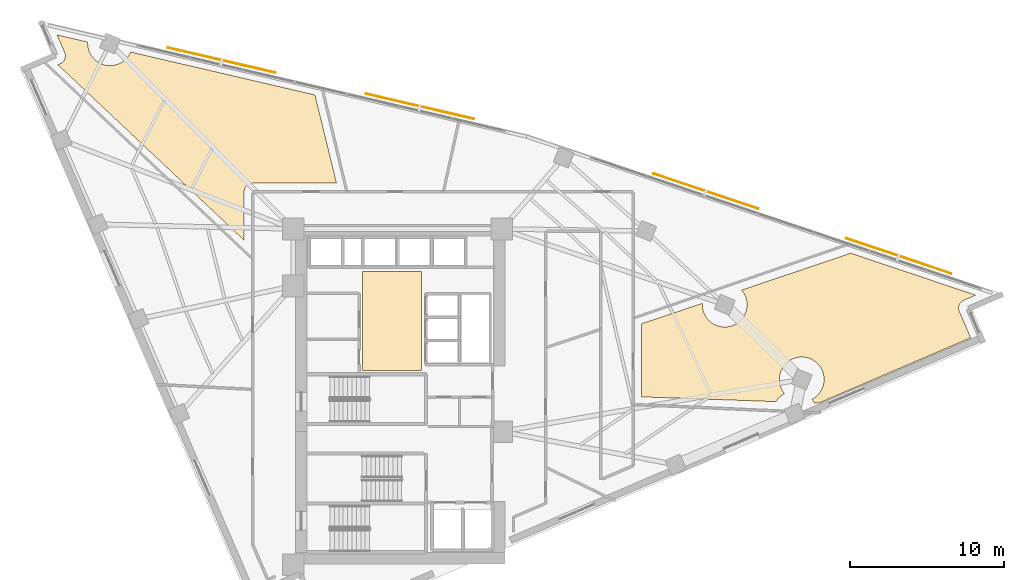
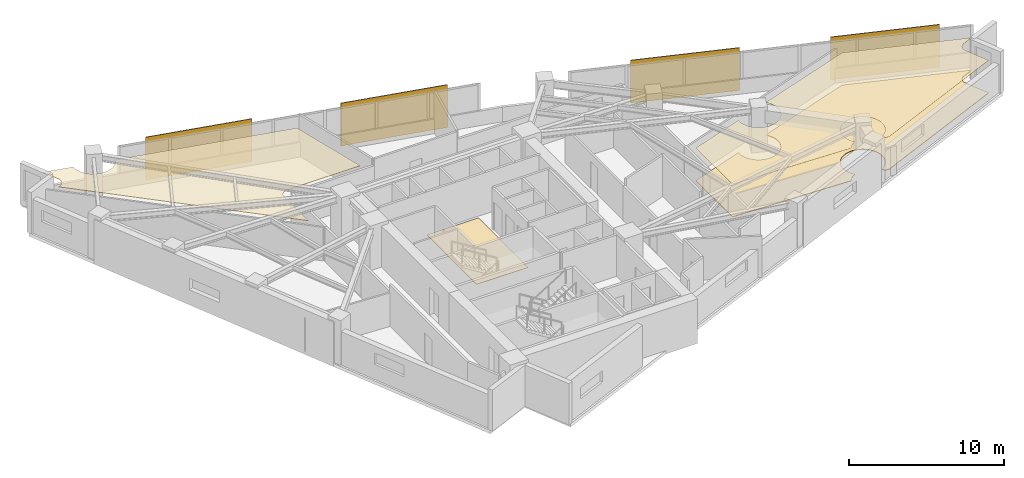
# One storey, part 15 of 15: 4 coverings, 4 shading devices.
"""IFC4 building model written with IfcOpenShell, lengths in metres."""

from ifc_helpers import new_model, si_unit, direction, frame, origin, origin_2d, place, context, subcontext, project, spatial, polyline, rectangle, outline, extrude, material, layer, layer_set, type_object, element, save


model = new_model("IFC4")

# Units and contexts
model_context = context("Model", 3, precision=1e-05, world=origin(), true_north=direction((0.0, 1.0)))
body_context = subcontext(model_context, "Body", "Model", "MODEL_VIEW")
ifc_project = project(units=[si_unit("LENGTHUNIT", "METRE"), si_unit("AREAUNIT", "SQUARE_METRE"), si_unit("VOLUMEUNIT", "CUBIC_METRE"), si_unit("PLANEANGLEUNIT", "RADIAN"), si_unit("MASSUNIT", "GRAM", prefix="KILO")], contexts=[model_context])

# Site, building, storey
site_placement = place(None, origin())
site = spatial("IfcSite", under=ifc_project, at=site_placement, CompositionType="ELEMENT")
building_placement = place(site_placement, origin())
building = spatial("IfcBuilding", under=site, at=building_placement, Name="Narakoshi Arena Tower", CompositionType="ELEMENT")
storey_placement = place(building_placement, frame((0.0, 0.0, 186.139892578125)))
storey = spatial("IfcBuildingStorey", under=building, at=storey_placement, Name="L50", CompositionType="ELEMENT", Elevation=186.139892578125)

# Coverings
ifc_material_1 = material(Name="Acoustic mineral-fibre ceiling tile")
ifc_layer_1 = layer(ifc_material_1, 0.02001953125)
ifc_layer_set_1 = layer_set([ifc_layer_1], Name="Acoustic mineral-fibre ceiling tile")
covering_type_1 = type_object("IfcCoveringType", Name="COV-CLG-AC20", PredefinedType="CEILING", material=ifc_layer_set_1)
covering_1_placement = place(storey_placement, frame((0.0, 0.0, 2.590087890625)))
element("IfcCovering", 1, at=covering_1_placement, inside=storey, type_object=covering_type_1, Name="L50 Suspended Acoustic Ceiling 1", PredefinedType="CEILING", context=body_context, shape_type="SweptSolid", body=[
    extrude(outline(polyline([(115.478515625, 51.8466796875), (115.4326171875, 51.818359375), (115.3896484375, 51.78564453125), (115.35009765625, 51.748779296875), (115.314208984375, 51.70849609375), (115.28271484375, 51.664794921875), (115.255615234375, 51.617919921875), (115.233154296875, 51.56884765625), (115.215576171875, 51.517822265625), (115.203125, 51.46533203125), (115.196044921875, 51.411865234375), (115.194091796875, 51.35791015625), (115.197509765625, 51.303955078125), (115.2060546875, 51.250732421875), (115.2197265625, 51.198486328125), (115.23876953125, 51.14794921875), (115.97412109375, 49.435791015625), (106.107177734375, 45.19677734375), (105.82421875, 45.206787109375), (105.7548828125, 45.322021484375), (105.670166015625, 45.436279296875), (105.662109375, 45.4453125), (105.693359375, 45.4599609375), (105.8154296875, 45.533203125), (105.9296875, 45.617919921875), (106.03515625, 45.71337890625), (106.130859375, 45.81884765625), (106.215576171875, 45.93310546875), (106.288818359375, 46.055419921875), (106.349609375, 46.183837890625), (106.3974609375, 46.31787109375), (106.431884765625, 46.455810546875), (106.452880859375, 46.5966796875), (106.4599609375, 46.73876953125), (106.452880859375, 46.880859375), (106.431884765625, 47.021728515625), (106.3974609375, 47.15966796875), (106.349609375, 47.293701171875), (106.288818359375, 47.42236328125), (106.215576171875, 47.54443359375), (106.130859375, 47.65869140625), (106.03515625, 47.76416015625), (105.9296875, 47.859619140625), (105.8154296875, 47.9443359375), (105.693359375, 48.017578125), (105.564697265625, 48.078369140625), (105.430908203125, 48.12646484375), (105.292724609375, 48.160888671875), (105.152099609375, 48.181884765625), (105.010009765625, 48.188720703125), (104.867919921875, 48.181884765625), (104.72705078125, 48.160888671875), (104.589111328125, 48.12646484375), (104.455078125, 48.078369140625), (104.326416015625, 48.017578125), (104.204345703125, 47.9443359375), (104.090087890625, 47.859619140625), (103.984619140625, 47.76416015625), (103.888916015625, 47.65869140625), (103.80419921875, 47.54443359375), (103.731201171875, 47.42236328125), (103.67041015625, 47.293701171875), (103.622314453125, 47.15966796875), (103.587890625, 47.021728515625), (103.56689453125, 46.880859375), (103.559814453125, 46.73876953125), (103.56689453125, 46.5966796875), (103.587890625, 46.455810546875), (103.622314453125, 46.31787109375), (103.67041015625, 46.183837890625), (103.731201171875, 46.055419921875), (103.80419921875, 45.93310546875), (103.888916015625, 45.81884765625), (103.897216796875, 45.81005859375), (103.86572265625, 45.79541015625), (103.74365234375, 45.72216796875), (103.62939453125, 45.637451171875), (103.52392578125, 45.541748046875), (103.428466796875, 45.436279296875), (103.34375, 45.322021484375), (103.327392578125, 45.294921875), (94.623779296875, 45.602783203125), (94.623779296875, 50.347412109375), (98.5673828125, 51.6787109375), (98.56298828125, 51.58544921875), (98.56982421875, 51.443359375), (98.5908203125, 51.302490234375), (98.625244140625, 51.16455078125), (98.67333984375, 51.030517578125), (98.734130859375, 50.902099609375), (98.807373046875, 50.77978515625), (98.89208984375, 50.66552734375), (98.987548828125, 50.560302734375), (99.093017578125, 50.464599609375), (99.207275390625, 50.3798828125), (99.329345703125, 50.306640625), (99.4580078125, 50.245849609375), (99.592041015625, 50.197998046875), (99.72998046875, 50.163330078125), (99.870849609375, 50.142578125), (100.012939453125, 50.135498046875), (100.155029296875, 50.142578125), (100.2958984375, 50.163330078125), (100.433837890625, 50.197998046875), (100.56787109375, 50.245849609375), (100.6962890625, 50.306640625), (100.818603515625, 50.3798828125), (100.932861328125, 50.464599609375), (101.0380859375, 50.560302734375), (101.1337890625, 50.66552734375), (101.218505859375, 50.77978515625), (101.291748046875, 50.902099609375), (101.3525390625, 51.030517578125), (101.400390625, 51.16455078125), (101.43505859375, 51.302490234375), (101.455810546875, 51.443359375), (101.462890625, 51.58544921875), (101.455810546875, 51.7275390625), (101.43505859375, 51.868408203125), (101.400390625, 52.00634765625), (101.3525390625, 52.140380859375), (101.291748046875, 52.26904296875), (101.218505859375, 52.39111328125), (101.1337890625, 52.50537109375), (101.1064453125, 52.535400390625), (108.191162109375, 54.926513671875), (116.30224609375, 52.20361328125), (115.52685546875, 51.870361328125), (115.478515625, 51.8466796875)])), origin(), (0.0, 0.0, 1.0), 0.02001953125),
])
ifc_material_2 = material(Name="Slatted oak acoustic timber baffle", Category="wood")
ifc_layer_2 = layer(ifc_material_2, 0.034912109375)
ifc_layer_set_2 = layer_set([ifc_layer_2], Name="Slatted oak acoustic timber baffle")
covering_type_2 = type_object("IfcCoveringType", Name="COV-CLG-WD35", PredefinedType="CEILING", material=ifc_layer_set_2)
covering_2_placement = place(storey_placement, frame((0.0, 0.0, 2.5751953125)))
element("IfcCovering", 2, at=covering_2_placement, inside=storey, type_object=covering_type_2, Name="L50 Suspended Acoustic Ceiling 2", PredefinedType="CEILING", context=body_context, shape_type="SweptSolid", body=[
    extrude(outline(polyline([(58.675537109375, 68.631103515625), (58.671630859375, 68.55126953125), (58.6787109375, 68.4091796875), (58.69970703125, 68.268310546875), (58.734130859375, 68.13037109375), (58.781982421875, 67.996337890625), (58.843017578125, 67.867919921875), (58.916015625, 67.74560546875), (59.000732421875, 67.63134765625), (59.096435546875, 67.52587890625), (59.201904296875, 67.430419921875), (59.316162109375, 67.345703125), (59.438232421875, 67.2724609375), (59.56689453125, 67.211669921875), (59.70068359375, 67.163818359375), (59.8388671875, 67.129150390625), (59.9794921875, 67.1083984375), (60.12158203125, 67.101318359375), (60.263916015625, 67.1083984375), (60.404541015625, 67.129150390625), (60.54248046875, 67.163818359375), (60.676513671875, 67.211669921875), (60.80517578125, 67.2724609375), (60.92724609375, 67.345703125), (61.04150390625, 67.430419921875), (61.14697265625, 67.52587890625), (61.24267578125, 67.63134765625), (61.327392578125, 67.74560546875), (61.400390625, 67.867919921875), (61.45556640625, 67.984130859375), (73.419189453125, 65.19921875), (74.8232421875, 59.468994140625), (69.376220703125, 59.468994140625), (69.322265625, 59.46630859375), (69.268798828125, 59.45849609375), (69.216552734375, 59.4453125), (69.165771484375, 59.427001953125), (69.116943359375, 59.404052734375), (69.070556640625, 59.376220703125), (69.02734375, 59.34423828125), (68.9873046875, 59.307861328125), (68.950927734375, 59.267822265625), (68.9189453125, 59.224609375), (68.89111328125, 59.17822265625), (68.8681640625, 59.12939453125), (68.849853515625, 59.07861328125), (68.8369140625, 59.0263671875), (68.828857421875, 58.972900390625), (68.826171875, 58.9189453125), (68.826171875, 55.7685546875), (56.73486328125, 67.16015625), (56.888671875, 67.226318359375), (56.937255859375, 67.25), (56.983154296875, 67.2783203125), (57.026123046875, 67.31103515625), (57.065673828125, 67.347900390625), (57.101318359375, 67.38818359375), (57.1328125, 67.43212890625), (57.159912109375, 67.478759765625), (57.182373046875, 67.52783203125), (57.199951171875, 67.578857421875), (57.21240234375, 67.63134765625), (57.219482421875, 67.684814453125), (57.2216796875, 67.73876953125), (57.21826171875, 67.792724609375), (57.209716796875, 67.845947265625), (57.19580078125, 67.898193359375), (57.177001953125, 67.94873046875), (56.6845703125, 69.0947265625), (58.675537109375, 68.631103515625)])), origin(), (0.0, 0.0, 1.0), 0.034912109375),
])
ifc_material_3 = material(Name="Raised steel access floor panel", Category="steel")
ifc_layer_3 = layer(ifc_material_3, 0.044921875)
ifc_layer_set_3 = layer_set([ifc_layer_3], Name="Raised steel access floor panel")
covering_type_3 = type_object("IfcCoveringType", Name="COV-FLR-RF45", PredefinedType="FLOORING", material=ifc_layer_set_3)
covering_3_placement = place(storey_placement, origin())
element("IfcCovering", 3, at=covering_3_placement, inside=storey, type_object=covering_type_3, Name="L50 Raised Steel Access Floor", PredefinedType="FLOORING", context=body_context, shape_type="SweptSolid", body=[
    extrude(outline(polyline([(115.478515625, 51.8466796875), (115.4326171875, 51.818359375), (115.3896484375, 51.78564453125), (115.35009765625, 51.748779296875), (115.314208984375, 51.70849609375), (115.28271484375, 51.664794921875), (115.255615234375, 51.617919921875), (115.233154296875, 51.56884765625), (115.215576171875, 51.517822265625), (115.203125, 51.46533203125), (115.196044921875, 51.411865234375), (115.194091796875, 51.35791015625), (115.197509765625, 51.303955078125), (115.2060546875, 51.250732421875), (115.2197265625, 51.198486328125), (115.23876953125, 51.14794921875), (115.97412109375, 49.435791015625), (106.107177734375, 45.19677734375), (105.82421875, 45.206787109375), (105.7548828125, 45.322021484375), (105.670166015625, 45.436279296875), (105.662109375, 45.4453125), (105.693359375, 45.4599609375), (105.8154296875, 45.533203125), (105.9296875, 45.617919921875), (106.03515625, 45.71337890625), (106.130859375, 45.81884765625), (106.215576171875, 45.93310546875), (106.288818359375, 46.055419921875), (106.349609375, 46.183837890625), (106.3974609375, 46.31787109375), (106.431884765625, 46.455810546875), (106.452880859375, 46.5966796875), (106.4599609375, 46.73876953125), (106.452880859375, 46.880859375), (106.431884765625, 47.021728515625), (106.3974609375, 47.15966796875), (106.349609375, 47.293701171875), (106.288818359375, 47.42236328125), (106.215576171875, 47.54443359375), (106.130859375, 47.65869140625), (106.03515625, 47.76416015625), (105.9296875, 47.859619140625), (105.8154296875, 47.9443359375), (105.693359375, 48.017578125), (105.564697265625, 48.078369140625), (105.430908203125, 48.12646484375), (105.292724609375, 48.160888671875), (105.152099609375, 48.181884765625), (105.010009765625, 48.188720703125), (104.867919921875, 48.181884765625), (104.72705078125, 48.160888671875), (104.589111328125, 48.12646484375), (104.455078125, 48.078369140625), (104.326416015625, 48.017578125), (104.204345703125, 47.9443359375), (104.090087890625, 47.859619140625), (103.984619140625, 47.76416015625), (103.888916015625, 47.65869140625), (103.80419921875, 47.54443359375), (103.731201171875, 47.42236328125), (103.67041015625, 47.293701171875), (103.622314453125, 47.15966796875), (103.587890625, 47.021728515625), (103.56689453125, 46.880859375), (103.559814453125, 46.73876953125), (103.56689453125, 46.5966796875), (103.587890625, 46.455810546875), (103.622314453125, 46.31787109375), (103.67041015625, 46.183837890625), (103.731201171875, 46.055419921875), (103.80419921875, 45.93310546875), (103.888916015625, 45.81884765625), (103.897216796875, 45.81005859375), (103.86572265625, 45.79541015625), (103.74365234375, 45.72216796875), (103.62939453125, 45.637451171875), (103.52392578125, 45.541748046875), (103.428466796875, 45.436279296875), (103.34375, 45.322021484375), (103.327392578125, 45.294921875), (94.623779296875, 45.602783203125), (94.623779296875, 50.347412109375), (98.5673828125, 51.6787109375), (98.56298828125, 51.58544921875), (98.56982421875, 51.443359375), (98.5908203125, 51.302490234375), (98.625244140625, 51.16455078125), (98.67333984375, 51.030517578125), (98.734130859375, 50.902099609375), (98.807373046875, 50.77978515625), (98.89208984375, 50.66552734375), (98.987548828125, 50.560302734375), (99.093017578125, 50.464599609375), (99.207275390625, 50.3798828125), (99.329345703125, 50.306640625), (99.4580078125, 50.245849609375), (99.592041015625, 50.197998046875), (99.72998046875, 50.163330078125), (99.870849609375, 50.142578125), (100.012939453125, 50.135498046875), (100.155029296875, 50.142578125), (100.2958984375, 50.163330078125), (100.433837890625, 50.197998046875), (100.56787109375, 50.245849609375), (100.6962890625, 50.306640625), (100.818603515625, 50.3798828125), (100.932861328125, 50.464599609375), (101.0380859375, 50.560302734375), (101.1337890625, 50.66552734375), (101.218505859375, 50.77978515625), (101.291748046875, 50.902099609375), (101.3525390625, 51.030517578125), (101.400390625, 51.16455078125), (101.43505859375, 51.302490234375), (101.455810546875, 51.443359375), (101.462890625, 51.58544921875), (101.455810546875, 51.7275390625), (101.43505859375, 51.868408203125), (101.400390625, 52.00634765625), (101.3525390625, 52.140380859375), (101.291748046875, 52.26904296875), (101.218505859375, 52.39111328125), (101.1337890625, 52.50537109375), (101.1064453125, 52.535400390625), (108.191162109375, 54.926513671875), (116.30224609375, 52.20361328125), (115.52685546875, 51.870361328125), (115.478515625, 51.8466796875)])), origin(), (0.0, 0.0, 1.0), 0.045166015625),
])
ifc_material_4 = material(Name="Honed granite stone paving", Category="masonry")
ifc_layer_4 = layer(ifc_material_4, 0.030029296875)
ifc_layer_set_4 = layer_set([ifc_layer_4], Name="Honed granite stone paving")
covering_type_4 = type_object("IfcCoveringType", Name="COV-FLR-ST30", PredefinedType="FLOORING", material=ifc_layer_set_4)
covering_4_placement = place(storey_placement, origin())
element("IfcCovering", 4, at=covering_4_placement, inside=storey, type_object=covering_type_4, Name="L50 Lift Lobby Granite Flooring", PredefinedType="FLOORING", context=body_context, shape_type="SweptSolid", body=[
    extrude(outline(polyline([(76.5, 47.300048828125), (80.35009765625, 47.300048828125), (80.35009765625, 53.75), (76.5, 53.75), (76.5, 47.300048828125)])), origin(), (0.0, 0.0, 1.0), 0.030029296875),
])

# Shading devices
ifc_material_5 = material(Name="Perforated bronze ceramic-metal composite")
ifc_layer_5 = layer(ifc_material_5, 0.06005859375)
ifc_layer_set_5 = layer_set([ifc_layer_5], Name="Perforated bronze ceramic-metal composite")
shading_device_type = type_object("IfcShadingDeviceType", Name="SHD-SCR-BRZ2", PredefinedType="USERDEFINED", material=ifc_layer_set_5)
for number, where, z_axis, x_axis, name in (
    (5, (111.30126953125, 54.747314453125, 0.0), (0.0, 0.0, 1.0), (-0.948001964735, 0.318264473134, 0.0), "L50 Perforated Bronze Solar Screen 1-1"),
    (6, (98.78759765625, 58.948486328125, 0.0), (0.0, 0.0, 1.0), (-0.948001964735, 0.318264473134, 0.0), "L50 Perforated Bronze Solar Screen 1-2"),
    (7, (80.23193359375, 64.455078125, 0.0), (0.0, 0.0, 1.0), (-0.973960141659, 0.226719303234, 0.0), "L50 Perforated Bronze Solar Screen 2-1"),
    (8, (67.37548828125, 67.447998046875, 0.0), (0.0, 0.0, 1.0), (-0.973960141659, 0.226719303234, 0.0), "L50 Perforated Bronze Solar Screen 2-2"),
):
    element("IfcShadingDevice", number, at=place(storey_placement, frame(where, z_axis=z_axis, x_axis=x_axis)), inside=storey, type_object=shading_device_type, Name=name, ObjectType="SOLAR SCREEN", PredefinedType="USERDEFINED", context=body_context, shape_type="SweptSolid", body=[
        extrude(rectangle(XDim=7.199951171875, YDim=0.06005859375, at=origin_2d()), origin(), (0.0, 0.0, 1.0), 3.3701171875),
    ])

save(model, "model.ifc")
